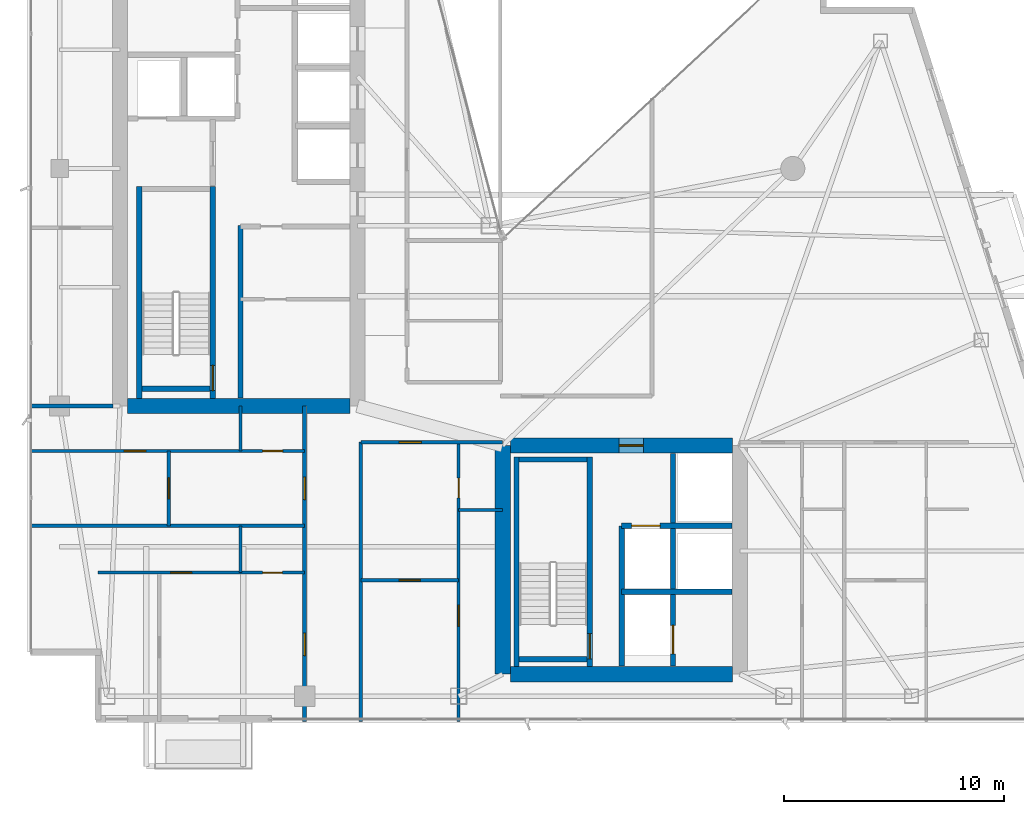
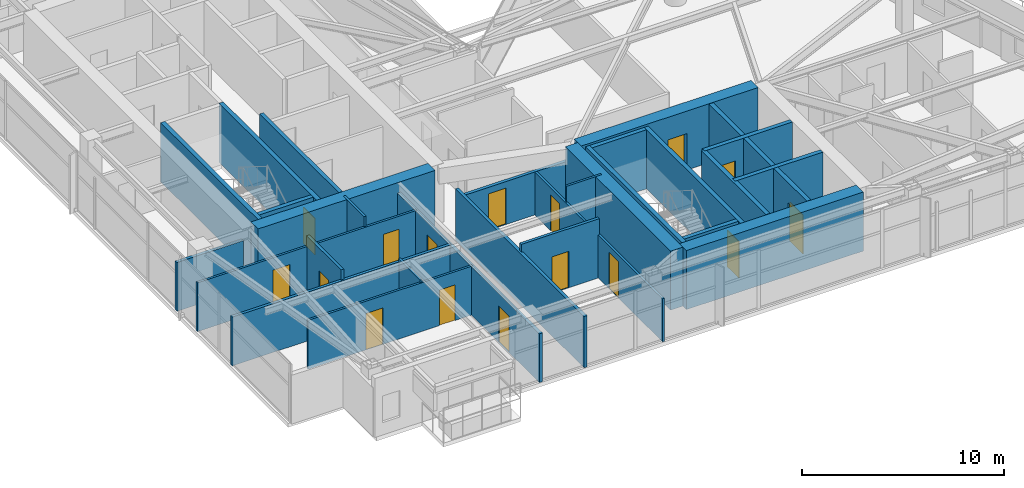
# One storey, part 22 of 27: 29 walls, 16 doors, 16 openings.
"""IFC4 building model written with IfcOpenShell, lengths in metres."""

from ifc_helpers import new_model, si_unit, direction, frame, frame_2d, origin, place, context, subcontext, project, spatial, rectangle, extrude, material, layer, layer_set, type_object, element, fill, save


model = new_model("IFC4")

# Units and contexts
model_context = context("Model", 3, precision=1e-05, world=origin(), true_north=direction((0.0, 1.0)))
body_context = subcontext(model_context, "Body", "Model", "MODEL_VIEW")
ifc_project = project(units=[si_unit("LENGTHUNIT", "METRE"), si_unit("AREAUNIT", "SQUARE_METRE"), si_unit("VOLUMEUNIT", "CUBIC_METRE"), si_unit("PLANEANGLEUNIT", "RADIAN"), si_unit("MASSUNIT", "GRAM", prefix="KILO")], contexts=[model_context])

# Site, building, storey
site_placement = place(None, origin())
site = spatial("IfcSite", under=ifc_project, at=site_placement, CompositionType="ELEMENT")
building_placement = place(site_placement, origin())
building = spatial("IfcBuilding", under=site, at=building_placement, Name="Calvorn Quay Hotel", CompositionType="ELEMENT")
storey_placement = place(building_placement, frame((0.0, 0.0, 226.89990234375)))
storey = spatial("IfcBuildingStorey", under=building, at=storey_placement, Name="L56", CompositionType="ELEMENT", Elevation=226.89990234375)

# Walls
ifc_material_1 = material(Name="Concrete C45", Category="concrete")
ifc_layer_1 = layer(ifc_material_1, 0.699951171875)
ifc_layer_set_1 = layer_set([ifc_layer_1], Name="WL-CORE-700")
wall_type_1 = type_object("IfcWallType", Name="WL-CORE-700", PredefinedType="SHEAR", material=ifc_layer_set_1)
wall_1_placement = place(storey_placement, frame((4.550048828125, 16.800048828125, 0.0), z_axis=(0.0, 0.0, 1.0), x_axis=(1.0, 0.0, 0.0)))
element("IfcWall", 1, at=wall_1_placement, inside=storey, type_object=wall_type_1, Name="West Core Shear Wall S (L56)", PredefinedType="SHEAR", context=body_context, shape_type="SweptSolid", body=[
    extrude(rectangle(XDim=10.099853515625, YDim=0.699951171875, at=frame_2d((5.0498046875, 0.0))), origin(), (0.0, 0.0, 1.0), 3.56005859375),
])
wall_2_placement = place(storey_placement, frame((21.60009765625, 4.60009765625, 0.0), z_axis=(0.0, 0.0, 1.0), x_axis=(0.0, 1.0, 0.0)))
element("IfcWall", 2, at=wall_2_placement, inside=storey, type_object=wall_type_1, Name="East Core Shear Wall W (L56)", PredefinedType="SHEAR", context=body_context, shape_type="SweptSolid", body=[
    extrude(rectangle(XDim=10.39990234375, YDim=0.699951171875, at=frame_2d((5.199951171875, 0.0))), origin(), (0.0, 0.0, 1.0), 3.56005859375),
])

# Wall, opening, door
wall_3_placement = place(storey_placement, frame((21.949951171875, 15.0, 0.0), z_axis=(0.0, 0.0, 1.0), x_axis=(1.0, 0.0, 0.0)))
wall_3 = element("IfcWall", 3, at=wall_3_placement, inside=storey, type_object=wall_type_1, Name="East Core Shear Wall N (L56)", PredefinedType="SHEAR", context=body_context, shape_type="SweptSolid", body=[
    extrude(rectangle(XDim=10.10009765625, YDim=0.699951171875, at=frame_2d((5.050048828125, 0.0))), origin(), (0.0, 0.0, 1.0), 3.56005859375),
])
opening_1_placement = place(wall_3_placement, frame((4.949951171875, 0.0, 0.0)))
opening_1 = element("IfcOpeningElement", 4, at=opening_1_placement, cuts=wall_3, Name="Opening D-L56-FLE", PredefinedType="OPENING", context=body_context, shape_type="SweptSolid", body=[
    extrude(rectangle(XDim=1.10009765625, YDim=2.199951171875, at=frame_2d((0.550048828125, 1.10009765625))), frame((0.0, 0.35986328125, 0.0), z_axis=(0.0, -1.0, 0.0), x_axis=(1.0, 0.0, 0.0)), (0.0, 0.0, 1.0), 0.719970703125),
])
ifc_material_2 = material(Name="Smoke-Sealed Steel Class A Fire Door", Category="steel")
door_type_1 = type_object("IfcDoorType", Name="DR-FFLOBBY-1100", OperationType="NOTDEFINED", PredefinedType="DOOR", material=ifc_material_2)
door_1_placement = place(opening_1_placement, origin())
door_1 = element("IfcDoor", 5, at=door_1_placement, inside=storey, type_object=door_type_1, Name="East Firefighting Lobby Fire Door (L56)", OperationType="SINGLE_SWING_RIGHT", OverallHeight=2.199951171875, OverallWidth=1.10009765625, PredefinedType="DOOR", context=body_context, shape_type="SweptSolid", body=[
    extrude(rectangle(XDim=1.10009765625, YDim=2.199951171875, at=frame_2d((0.550048828125, 1.10009765625))), frame((0.0, 0.02490234375, 0.0), z_axis=(0.0, -1.0, 0.0), x_axis=(1.0, 0.0, 0.0)), (0.0, 0.0, 1.0), 0.050048828125),
])
fill(opening_1, door_1)

# Walls
wall_4_placement = place(storey_placement, frame((21.949951171875, 4.60009765625, 0.0), z_axis=(0.0, 0.0, 1.0), x_axis=(1.0, 0.0, 0.0)))
element("IfcWall", 6, at=wall_4_placement, inside=storey, type_object=wall_type_1, Name="East Core Shear Wall S (L56)", PredefinedType="SHEAR", context=body_context, shape_type="SweptSolid", body=[
    extrude(rectangle(XDim=10.10009765625, YDim=0.699951171875, at=frame_2d((5.050048828125, 0.0))), origin(), (0.0, 0.0, 1.0), 3.56005859375),
])
ifc_material_3 = material(Name="Acoustic Fireboard Steel-Stud Partition", Category="steel")
ifc_layer_2 = layer(ifc_material_3, 0.179931640625)
ifc_layer_set_2 = layer_set([ifc_layer_2], Name="WL-CORR-FIRE-180")
wall_type_2 = type_object("IfcWallType", Name="WL-CORR-FIRE-180", PredefinedType="PARTITIONING", material=ifc_layer_set_2)
wall_5_placement = place(storey_placement, frame((0.080078125, 16.800048828125, 0.0), z_axis=(0.0, 0.0, 1.0), x_axis=(1.0, 0.0, 0.0)))
element("IfcWall", 7, at=wall_5_placement, inside=storey, type_object=wall_type_2, Name="Partition Wall L56-WL-WBAY-S-WALL", PredefinedType="PARTITIONING", context=body_context, shape_type="SweptSolid", body=[
    extrude(rectangle(XDim=3.7998046875, YDim=0.179931640625, at=frame_2d((1.89990234375, 0.0))), origin(), (0.0, 0.0, 1.0), 2.940185546875),
])

# Wall, openings, doors
wall_6_placement = place(storey_placement, frame((12.60009765625, 2.43994140625, 0.0), z_axis=(0.0, 0.0, 1.0), x_axis=(0.0, 1.0, 0.0)))
wall_6 = element("IfcWall", 8, at=wall_6_placement, inside=storey, type_object=wall_type_2, Name="Partition Wall L56-WL-CORR-SW-LEG-W", PredefinedType="PARTITIONING", context=body_context, shape_type="SweptSolid", body=[
    extrude(rectangle(XDim=14.360107421875, YDim=0.179931640625, at=frame_2d((7.18017578125, 0.0))), origin(), (0.0, 0.0, 1.0), 2.940185546875),
])
opening_2_placement = place(wall_6_placement, frame((3.010009765625, 0.0, 0.0)))
opening_2 = element("IfcOpeningElement", 9, at=opening_2_placement, cuts=wall_6, Name="Opening D-L56-U01", PredefinedType="OPENING", context=body_context, shape_type="SweptSolid", body=[
    extrude(rectangle(XDim=1.02001953125, YDim=2.199951171875, at=frame_2d((0.510009765625, 1.10009765625))), frame((0.0, 0.099853515625, 0.0), z_axis=(0.0, -1.0, 0.0), x_axis=(1.0, 0.0, 0.0)), (0.0, 0.0, 1.0), 0.199951171875),
])
opening_3_placement = place(wall_6_placement, frame((10.10009765625, 0.0, 0.0)))
opening_3 = element("IfcOpeningElement", 10, at=opening_3_placement, cuts=wall_6, Name="Opening D-L56-U02", PredefinedType="OPENING", context=body_context, shape_type="SweptSolid", body=[
    extrude(rectangle(XDim=1.02001953125, YDim=2.199951171875, at=frame_2d((0.510009765625, 1.10009765625))), frame((0.0, 0.099853515625, 0.0), z_axis=(0.0, -1.0, 0.0), x_axis=(1.0, 0.0, 0.0)), (0.0, 0.0, 1.0), 0.199951171875),
])
ifc_material_4 = material(Name="Solid-Core Walnut Veneer Hotel Fire Door")
door_type_2 = type_object("IfcDoorType", Name="DR-GUEST-ENTRY-1020", OperationType="NOTDEFINED", PredefinedType="DOOR", material=ifc_material_4)
door_2_placement = place(opening_2_placement, origin())
door_2 = element("IfcDoor", 11, at=door_2_placement, inside=storey, type_object=door_type_2, Name="South-West Unit Door U01 (L56)", OperationType="SINGLE_SWING_LEFT", OverallHeight=2.199951171875, OverallWidth=1.02001953125, PredefinedType="DOOR", context=body_context, shape_type="SweptSolid", body=[
    extrude(rectangle(XDim=1.02001953125, YDim=2.199951171875, at=frame_2d((0.510009765625, 1.10009765625))), frame((0.0, 0.02490234375, 0.0), z_axis=(0.0, -1.0, 0.0), x_axis=(1.0, 0.0, 0.0)), (0.0, 0.0, 1.0), 0.050048828125),
])
fill(opening_2, door_2)
door_3_placement = place(opening_3_placement, origin())
door_3 = element("IfcDoor", 12, at=door_3_placement, inside=storey, type_object=door_type_2, Name="South-West Unit Door U02 (L56)", OperationType="SINGLE_SWING_RIGHT", OverallHeight=2.199951171875, OverallWidth=1.02001953125, PredefinedType="DOOR", context=body_context, shape_type="SweptSolid", body=[
    extrude(rectangle(XDim=1.02001953125, YDim=2.199951171875, at=frame_2d((0.510009765625, 1.10009765625))), frame((0.0, 0.02490234375, 0.0), z_axis=(0.0, -1.0, 0.0), x_axis=(1.0, 0.0, 0.0)), (0.0, 0.0, 1.0), 0.050048828125),
])
fill(opening_3, door_3)

# Wall
wall_7_placement = place(storey_placement, frame((15.14990234375, 2.43994140625, 0.0), z_axis=(0.0, 0.0, 1.0), x_axis=(0.0, 1.0, 0.0)))
element("IfcWall", 13, at=wall_7_placement, inside=storey, type_object=wall_type_2, Name="Partition Wall L56-WL-CORR-SW-W", PredefinedType="PARTITIONING", context=body_context, shape_type="SweptSolid", body=[
    extrude(rectangle(XDim=12.7099609375, YDim=0.179931640625, at=frame_2d((6.35498046875, 0.0))), origin(), (0.0, 0.0, 1.0), 3.090087890625),
])

# Wall, opening, door
wall_8_placement = place(storey_placement, frame((15.14990234375, 15.14990234375, 0.0), z_axis=(0.0, 0.0, 1.0), x_axis=(1.0, 0.0, 0.0)))
wall_8 = element("IfcWall", 14, at=wall_8_placement, inside=storey, type_object=wall_type_2, Name="Partition Wall L56-WL-SC-CORR-S", PredefinedType="PARTITIONING", context=body_context, shape_type="SweptSolid", body=[
    extrude(rectangle(XDim=6.4501953125, YDim=0.179931640625, at=frame_2d((3.22509765625, 0.0))), origin(), (0.0, 0.0, 1.0), 2.590087890625),
])
opening_4_placement = place(wall_8_placement, frame((1.739990234375, 0.0, 0.0)))
opening_4 = element("IfcOpeningElement", 15, at=opening_4_placement, cuts=wall_8, Name="Opening D-L56-U03", PredefinedType="OPENING", context=body_context, shape_type="SweptSolid", body=[
    extrude(rectangle(XDim=1.02001953125, YDim=2.199951171875, at=frame_2d((0.510009765625, 1.10009765625))), frame((0.0, 0.099853515625, 0.0), z_axis=(0.0, -1.0, 0.0), x_axis=(1.0, 0.0, 0.0)), (0.0, 0.0, 1.0), 0.199951171875),
])
door_4_placement = place(opening_4_placement, origin())
door_4 = element("IfcDoor", 16, at=door_4_placement, inside=storey, type_object=door_type_2, Name="Harbour Central Unit Door (L56)", OperationType="SINGLE_SWING_LEFT", OverallHeight=2.199951171875, OverallWidth=1.02001953125, PredefinedType="DOOR", context=body_context, shape_type="SweptSolid", body=[
    extrude(rectangle(XDim=1.02001953125, YDim=2.199951171875, at=frame_2d((0.510009765625, 1.10009765625))), frame((0.0, 0.02490234375, 0.0), z_axis=(0.0, -1.0, 0.0), x_axis=(1.0, 0.0, 0.0)), (0.0, 0.0, 1.0), 0.050048828125),
])
fill(opening_4, door_4)

# Wall
ifc_material_5 = material(Name="Moisture-Resistant Tile-Backed Partition")
ifc_layer_3 = layer(ifc_material_5, 0.125)
ifc_layer_set_3 = layer_set([ifc_layer_3], Name="WL-ENSUITE-125")
wall_type_3 = type_object("IfcWallType", Name="WL-ENSUITE-125", PredefinedType="PARTITIONING", material=ifc_layer_set_3)
wall_9_placement = place(storey_placement, frame((9.679931640625, 9.219970703125, 0.0), z_axis=(0.0, 0.0, 1.0), x_axis=(0.0, 1.0, 0.0)))
element("IfcWall", 17, at=wall_9_placement, inside=storey, type_object=wall_type_3, Name="Partition Wall L56-WL-U01-BDV", PredefinedType="PARTITIONING", context=body_context, shape_type="SweptSolid", body=[
    extrude(rectangle(XDim=2.130126953125, YDim=0.125, at=frame_2d((1.06494140625, 0.0))), origin(), (0.0, 0.0, 1.0), 3.090087890625),
])

# Wall, openings, doors
wall_10_placement = place(storey_placement, frame((3.199951171875, 9.219970703125, 0.0), z_axis=(0.0, 0.0, 1.0), x_axis=(1.0, 0.0, 0.0)))
wall_10 = element("IfcWall", 18, at=wall_10_placement, inside=storey, type_object=wall_type_3, Name="Partition Wall L56-WL-U01-BH", PredefinedType="PARTITIONING", context=body_context, shape_type="SweptSolid", body=[
    extrude(rectangle(XDim=9.400146484375, YDim=0.125, at=frame_2d((4.7001953125, 0.0))), origin(), (0.0, 0.0, 1.0), 2.940185546875),
])
opening_5_placement = place(wall_10_placement, frame((3.300048828125, 0.0, 0.0)))
opening_5 = element("IfcOpeningElement", 19, at=opening_5_placement, cuts=wall_10, Name="Opening D-L56-S01", PredefinedType="OPENING", context=body_context, shape_type="SweptSolid", body=[
    extrude(rectangle(XDim=0.9599609375, YDim=2.199951171875, at=frame_2d((0.47998046875, 1.10009765625))), frame((0.0, 0.072509765625, 0.0), z_axis=(0.0, -1.0, 0.0), x_axis=(1.0, 0.0, 0.0)), (0.0, 0.0, 1.0), 0.14501953125),
])
opening_6_placement = place(wall_10_placement, frame((7.489990234375, 0.0, 0.0)))
opening_6 = element("IfcOpeningElement", 20, at=opening_6_placement, cuts=wall_10, Name="Opening D-L56-E01", PredefinedType="OPENING", context=body_context, shape_type="SweptSolid", body=[
    extrude(rectangle(XDim=0.89990234375, YDim=2.14990234375, at=frame_2d((0.449951171875, 1.074951171875))), frame((0.0, 0.072509765625, 0.0), z_axis=(0.0, -1.0, 0.0), x_axis=(1.0, 0.0, 0.0)), (0.0, 0.0, 1.0), 0.14501953125),
])
ifc_material_6 = material(Name="Moisture-Sealed Timber En-Suite Door", Category="wood")
door_type_3 = type_object("IfcDoorType", Name="DR-ENSUITE-900", OperationType="NOTDEFINED", PredefinedType="DOOR", material=ifc_material_6)
door_5_placement = place(opening_6_placement, origin())
door_5 = element("IfcDoor", 21, at=door_5_placement, inside=storey, type_object=door_type_3, Name="En-Suite Door 01", OperationType="SINGLE_SWING_RIGHT", OverallHeight=2.14990234375, OverallWidth=0.89990234375, PredefinedType="DOOR", context=body_context, shape_type="SweptSolid", body=[
    extrude(rectangle(XDim=0.89990234375, YDim=2.14990234375, at=frame_2d((0.449951171875, 1.074951171875))), frame((0.0, 0.02490234375, 0.0), z_axis=(0.0, -1.0, 0.0), x_axis=(1.0, 0.0, 0.0)), (0.0, 0.0, 1.0), 0.050048828125),
])
fill(opening_6, door_5)
ifc_material_7 = material(Name="Solid Timber Internal Suite Door", Category="wood")
door_type_4 = type_object("IfcDoorType", Name="DR-SUITE-INT-960", OperationType="NOTDEFINED", PredefinedType="DOOR", material=ifc_material_7)
door_6_placement = place(opening_5_placement, origin())
door_6 = element("IfcDoor", 22, at=door_6_placement, inside=storey, type_object=door_type_4, Name="Private Executive Study Door 01", OperationType="SINGLE_SWING_LEFT", OverallHeight=2.199951171875, OverallWidth=0.9599609375, PredefinedType="DOOR", context=body_context, shape_type="SweptSolid", body=[
    extrude(rectangle(XDim=0.9599609375, YDim=2.199951171875, at=frame_2d((0.47998046875, 1.10009765625))), frame((0.0, 0.02490234375, 0.0), z_axis=(0.0, -1.0, 0.0), x_axis=(1.0, 0.0, 0.0)), (0.0, 0.0, 1.0), 0.050048828125),
])
fill(opening_5, door_6)

# Wall
wall_11_placement = place(storey_placement, frame((9.679931640625, 14.75, 0.0), z_axis=(0.0, 0.0, 1.0), x_axis=(0.0, 1.0, 0.0)))
element("IfcWall", 23, at=wall_11_placement, inside=storey, type_object=wall_type_3, Name="Partition Wall L56-WL-U02-BDV", PredefinedType="PARTITIONING", context=body_context, shape_type="SweptSolid", body=[
    extrude(rectangle(XDim=2.050048828125, YDim=0.125, at=frame_2d((1.02490234375, 0.0))), origin(), (0.0, 0.0, 1.0), 3.56005859375),
])

# Wall, openings, doors
wall_12_placement = place(storey_placement, frame((0.080078125, 14.75, 0.0), z_axis=(0.0, 0.0, 1.0), x_axis=(1.0, 0.0, 0.0)))
wall_12 = element("IfcWall", 24, at=wall_12_placement, inside=storey, type_object=wall_type_3, Name="Partition Wall L56-WL-U02-BH", PredefinedType="PARTITIONING", context=body_context, shape_type="SweptSolid", body=[
    extrude(rectangle(XDim=12.52001953125, YDim=0.125, at=frame_2d((6.260009765625, 0.0))), origin(), (0.0, 0.0, 1.0), 2.940185546875),
])
opening_7_placement = place(wall_12_placement, frame((4.320068359375, 0.0, 0.0)))
opening_7 = element("IfcOpeningElement", 25, at=opening_7_placement, cuts=wall_12, Name="Opening D-L56-S02", PredefinedType="OPENING", context=body_context, shape_type="SweptSolid", body=[
    extrude(rectangle(XDim=0.9599609375, YDim=2.199951171875, at=frame_2d((0.47998046875, 1.10009765625))), frame((0.0, 0.072509765625, 0.0), z_axis=(0.0, -1.0, 0.0), x_axis=(1.0, 0.0, 0.0)), (0.0, 0.0, 1.0), 0.14501953125),
])
opening_8_placement = place(wall_12_placement, frame((10.610107421875, 0.0, 0.0)))
opening_8 = element("IfcOpeningElement", 26, at=opening_8_placement, cuts=wall_12, Name="Opening D-L56-E02", PredefinedType="OPENING", context=body_context, shape_type="SweptSolid", body=[
    extrude(rectangle(XDim=0.89990234375, YDim=2.14990234375, at=frame_2d((0.449951171875, 1.074951171875))), frame((0.0, 0.072509765625, 0.0), z_axis=(0.0, -1.0, 0.0), x_axis=(1.0, 0.0, 0.0)), (0.0, 0.0, 1.0), 0.14501953125),
])
door_7_placement = place(opening_8_placement, origin())
door_7 = element("IfcDoor", 27, at=door_7_placement, inside=storey, type_object=door_type_3, Name="En-Suite Door 02", OperationType="SINGLE_SWING_RIGHT", OverallHeight=2.14990234375, OverallWidth=0.89990234375, PredefinedType="DOOR", context=body_context, shape_type="SweptSolid", body=[
    extrude(rectangle(XDim=0.89990234375, YDim=2.14990234375, at=frame_2d((0.449951171875, 1.074951171875))), frame((0.0, 0.02490234375, 0.0), z_axis=(0.0, -1.0, 0.0), x_axis=(1.0, 0.0, 0.0)), (0.0, 0.0, 1.0), 0.050048828125),
])
fill(opening_8, door_7)
door_8_placement = place(opening_7_placement, origin())
door_8 = element("IfcDoor", 28, at=door_8_placement, inside=storey, type_object=door_type_4, Name="Private Executive Study Door 02", OperationType="SINGLE_SWING_LEFT", OverallHeight=2.199951171875, OverallWidth=0.9599609375, PredefinedType="DOOR", context=body_context, shape_type="SweptSolid", body=[
    extrude(rectangle(XDim=0.9599609375, YDim=2.199951171875, at=frame_2d((0.47998046875, 1.10009765625))), frame((0.0, 0.02490234375, 0.0), z_axis=(0.0, -1.0, 0.0), x_axis=(1.0, 0.0, 0.0)), (0.0, 0.0, 1.0), 0.050048828125),
])
fill(opening_7, door_8)

# Wall
wall_13_placement = place(storey_placement, frame((19.60009765625, 12.070068359375, 0.0), z_axis=(0.0, 0.0, 1.0), x_axis=(1.0, 0.0, 0.0)))
element("IfcWall", 29, at=wall_13_placement, inside=storey, type_object=wall_type_3, Name="Partition Wall L56-WL-U03-BDV", PredefinedType="PARTITIONING", context=body_context, shape_type="SweptSolid", body=[
    extrude(rectangle(XDim=2.0, YDim=0.125, at=frame_2d((1.0, 0.0))), origin(), (0.0, 0.0, 1.0), 3.56005859375),
])

# Wall, openings, doors
wall_14_placement = place(storey_placement, frame((19.60009765625, 2.43994140625, 0.0), z_axis=(0.0, 0.0, 1.0), x_axis=(0.0, 1.0, 0.0)))
wall_14 = element("IfcWall", 30, at=wall_14_placement, inside=storey, type_object=wall_type_3, Name="Partition Wall L56-WL-U03-BV", PredefinedType="PARTITIONING", context=body_context, shape_type="SweptSolid", body=[
    extrude(rectangle(XDim=12.7099609375, YDim=0.125, at=frame_2d((6.35498046875, 0.0))), origin(), (0.0, 0.0, 1.0), 2.590087890625),
])
opening_9_placement = place(wall_14_placement, frame((4.340087890625, 0.0, 0.0)))
opening_9 = element("IfcOpeningElement", 31, at=opening_9_placement, cuts=wall_14, Name="Opening D-L56-S03", PredefinedType="OPENING", context=body_context, shape_type="SweptSolid", body=[
    extrude(rectangle(XDim=0.9599609375, YDim=2.199951171875, at=frame_2d((0.47998046875, 1.10009765625))), frame((0.0, 0.072509765625, 0.0), z_axis=(0.0, -1.0, 0.0), x_axis=(1.0, 0.0, 0.0)), (0.0, 0.0, 1.0), 0.14501953125),
])
opening_10_placement = place(wall_14_placement, frame((10.179931640625, 0.0, 0.0)))
opening_10 = element("IfcOpeningElement", 32, at=opening_10_placement, cuts=wall_14, Name="Opening D-L56-E03", PredefinedType="OPENING", context=body_context, shape_type="SweptSolid", body=[
    extrude(rectangle(XDim=0.89990234375, YDim=2.14990234375, at=frame_2d((0.449951171875, 1.074951171875))), frame((0.0, 0.072509765625, 0.0), z_axis=(0.0, -1.0, 0.0), x_axis=(1.0, 0.0, 0.0)), (0.0, 0.0, 1.0), 0.14501953125),
])
door_9_placement = place(opening_10_placement, origin())
door_9 = element("IfcDoor", 33, at=door_9_placement, inside=storey, type_object=door_type_3, Name="En-Suite Door 03", OperationType="SINGLE_SWING_RIGHT", OverallHeight=2.14990234375, OverallWidth=0.89990234375, PredefinedType="DOOR", context=body_context, shape_type="SweptSolid", body=[
    extrude(rectangle(XDim=0.89990234375, YDim=2.14990234375, at=frame_2d((0.449951171875, 1.074951171875))), frame((0.0, 0.02490234375, 0.0), z_axis=(0.0, -1.0, 0.0), x_axis=(1.0, 0.0, 0.0)), (0.0, 0.0, 1.0), 0.050048828125),
])
fill(opening_10, door_9)
door_10_placement = place(opening_9_placement, origin())
door_10 = element("IfcDoor", 34, at=door_10_placement, inside=storey, type_object=door_type_4, Name="Private Executive Study Door 03", OperationType="SINGLE_SWING_LEFT", OverallHeight=2.199951171875, OverallWidth=0.9599609375, PredefinedType="DOOR", context=body_context, shape_type="SweptSolid", body=[
    extrude(rectangle(XDim=0.9599609375, YDim=2.199951171875, at=frame_2d((0.47998046875, 1.10009765625))), frame((0.0, 0.02490234375, 0.0), z_axis=(0.0, -1.0, 0.0), x_axis=(1.0, 0.0, 0.0)), (0.0, 0.0, 1.0), 0.050048828125),
])
fill(opening_9, door_10)

# Wall, opening, door
ifc_material_8 = material(Name="Double-Stud Acoustic Gypsum Partition")
ifc_layer_4 = layer(ifc_material_8, 0.159912109375)
ifc_layer_set_4 = layer_set([ifc_layer_4], Name="WL-INTERSUITE-160")
wall_type_4 = type_object("IfcWallType", Name="WL-INTERSUITE-160", PredefinedType="PARTITIONING", material=ifc_layer_set_4)
wall_15_placement = place(storey_placement, frame((6.419921875, 11.35009765625, 0.0), z_axis=(0.0, 0.0, 1.0), x_axis=(0.0, 1.0, 0.0)))
wall_15 = element("IfcWall", 35, at=wall_15_placement, inside=storey, type_object=wall_type_4, Name="Partition Wall L56-WL-U02-MSP", PredefinedType="PARTITIONING", context=body_context, shape_type="SweptSolid", body=[
    extrude(rectangle(XDim=3.39990234375, YDim=0.159912109375, at=frame_2d((1.699951171875, 0.0))), origin(), (0.0, 0.0, 1.0), 3.56005859375),
])
opening_11_placement = place(wall_15_placement, frame((1.219970703125, 0.0, 0.0)))
opening_11 = element("IfcOpeningElement", 36, at=opening_11_placement, cuts=wall_15, Name="Opening D-L56-M02", PredefinedType="OPENING", context=body_context, shape_type="SweptSolid", body=[
    extrude(rectangle(XDim=0.9599609375, YDim=2.199951171875, at=frame_2d((0.47998046875, 1.10009765625))), frame((0.0, 0.08984375, 0.0), z_axis=(0.0, -1.0, 0.0), x_axis=(1.0, 0.0, 0.0)), (0.0, 0.0, 1.0), 0.179931640625),
])
door_11_placement = place(opening_11_placement, origin())
door_11 = element("IfcDoor", 37, at=door_11_placement, inside=storey, type_object=door_type_4, Name="Suite Bedroom Door 02", OperationType="SINGLE_SWING_LEFT", OverallHeight=2.199951171875, OverallWidth=0.9599609375, PredefinedType="DOOR", context=body_context, shape_type="SweptSolid", body=[
    extrude(rectangle(XDim=0.9599609375, YDim=2.199951171875, at=frame_2d((0.47998046875, 1.10009765625))), frame((0.0, 0.02490234375, 0.0), z_axis=(0.0, -1.0, 0.0), x_axis=(1.0, 0.0, 0.0)), (0.0, 0.0, 1.0), 0.050048828125),
])
fill(opening_11, door_11)

# Wall
wall_16_placement = place(storey_placement, frame((0.080078125, 11.35009765625, 0.0), z_axis=(0.0, 0.0, 1.0), x_axis=(1.0, 0.0, 0.0)))
element("IfcWall", 38, at=wall_16_placement, inside=storey, type_object=wall_type_4, Name="Partition Wall L56-WL-SW-DIV-1", PredefinedType="PARTITIONING", context=body_context, shape_type="SweptSolid", body=[
    extrude(rectangle(XDim=12.52001953125, YDim=0.159912109375, at=frame_2d((6.260009765625, 0.0))), origin(), (0.0, 0.0, 1.0), 2.940185546875),
])

# Wall, opening, door
wall_17_placement = place(storey_placement, frame((15.14990234375, 8.8701171875, 0.0), z_axis=(0.0, 0.0, 1.0), x_axis=(1.0, 0.0, 0.0)))
wall_17 = element("IfcWall", 39, at=wall_17_placement, inside=storey, type_object=wall_type_4, Name="Partition Wall L56-WL-U03-MSP", PredefinedType="PARTITIONING", context=body_context, shape_type="SweptSolid", body=[
    extrude(rectangle(XDim=4.4501953125, YDim=0.159912109375, at=frame_2d((2.22509765625, 0.0))), origin(), (0.0, 0.0, 1.0), 3.56005859375),
])
opening_12_placement = place(wall_17_placement, frame((1.75, 0.0, 0.0)))
opening_12 = element("IfcOpeningElement", 40, at=opening_12_placement, cuts=wall_17, Name="Opening D-L56-M03", PredefinedType="OPENING", context=body_context, shape_type="SweptSolid", body=[
    extrude(rectangle(XDim=0.9599609375, YDim=2.199951171875, at=frame_2d((0.47998046875, 1.10009765625))), frame((0.0, 0.08984375, 0.0), z_axis=(0.0, -1.0, 0.0), x_axis=(1.0, 0.0, 0.0)), (0.0, 0.0, 1.0), 0.179931640625),
])
door_12_placement = place(opening_12_placement, origin())
door_12 = element("IfcDoor", 41, at=door_12_placement, inside=storey, type_object=door_type_4, Name="Suite Bedroom Door 03", OperationType="SINGLE_SWING_LEFT", OverallHeight=2.199951171875, OverallWidth=0.9599609375, PredefinedType="DOOR", context=body_context, shape_type="SweptSolid", body=[
    extrude(rectangle(XDim=0.9599609375, YDim=2.199951171875, at=frame_2d((0.47998046875, 1.10009765625))), frame((0.0, 0.02490234375, 0.0), z_axis=(0.0, -1.0, 0.0), x_axis=(1.0, 0.0, 0.0)), (0.0, 0.0, 1.0), 0.050048828125),
])
fill(opening_12, door_12)

# Walls
ifc_material_9 = material(Name="Autoclaved Aerated Masonry Block", Category="masonry")
ifc_layer_5 = layer(ifc_material_9, 0.219970703125)
ifc_layer_set_5 = layer_set([ifc_layer_5], Name="WL-LOBBY-FIRE-220")
wall_type_5 = type_object("IfcWallType", Name="WL-LOBBY-FIRE-220", PredefinedType="SOLIDWALL", material=ifc_layer_set_5)
wall_18_placement = place(storey_placement, frame((9.679931640625, 17.169921875, 0.0), z_axis=(0.0, 0.0, 1.0), x_axis=(0.0, 1.0, 0.0)))
element("IfcWall", 42, at=wall_18_placement, inside=storey, type_object=wall_type_5, Name="Partition Wall L56-WL-CWW-STW-HALL-E", PredefinedType="SOLIDWALL", context=body_context, shape_type="SweptSolid", body=[
    extrude(rectangle(XDim=7.830078125, YDim=0.219970703125, at=frame_2d((3.9150390625, 0.0))), origin(), (0.0, 0.0, 1.0), 3.56005859375),
])
ifc_material_10 = material(Name="Concrete C40", Category="concrete")
ifc_layer_6 = layer(ifc_material_10, 0.239990234375)
ifc_layer_set_6 = layer_set([ifc_layer_6], Name="WL-SHAFT-240")
wall_type_6 = type_object("IfcWallType", Name="WL-SHAFT-240", PredefinedType="SOLIDWALL", material=ifc_layer_set_6)
wall_19_placement = place(storey_placement, frame((5.080078125, 17.14990234375, 0.0), z_axis=(0.0, 0.0, 1.0), x_axis=(0.0, 1.0, 0.0)))
element("IfcWall", 43, at=wall_19_placement, inside=storey, type_object=wall_type_6, Name="Stair STW Shaft Wall W (L56)", PredefinedType="SOLIDWALL", context=body_context, shape_type="SweptSolid", body=[
    extrude(rectangle(XDim=9.64013671875, YDim=0.239990234375, at=frame_2d((4.820068359375, 0.0))), origin(), (0.0, 0.0, 1.0), 3.56005859375),
])

# Wall, opening, door
wall_20_placement = place(storey_placement, frame((8.419921875, 17.14990234375, 0.0), z_axis=(0.0, 0.0, 1.0), x_axis=(0.0, 1.0, 0.0)))
wall_20 = element("IfcWall", 44, at=wall_20_placement, inside=storey, type_object=wall_type_6, Name="Stair STW Shaft Wall E (L56)", PredefinedType="SOLIDWALL", context=body_context, shape_type="SweptSolid", body=[
    extrude(rectangle(XDim=9.64013671875, YDim=0.239990234375, at=frame_2d((4.820068359375, 0.0))), origin(), (0.0, 0.0, 1.0), 3.56005859375),
])
opening_13_placement = place(wall_20_placement, frame((0.35009765625, 0.0, 0.0)))
opening_13 = element("IfcOpeningElement", 45, at=opening_13_placement, cuts=wall_20, Name="Opening D-L56-STW", PredefinedType="OPENING", context=body_context, shape_type="SweptSolid", body=[
    extrude(rectangle(XDim=1.14990234375, YDim=2.199951171875, at=frame_2d((0.574951171875, 1.10009765625))), frame((0.0, 0.1298828125, 0.0), z_axis=(0.0, -1.0, 0.0), x_axis=(1.0, 0.0, 0.0)), (0.0, 0.0, 1.0), 0.260009765625),
])
ifc_material_11 = material(Name="Galvanised Steel Class A Fire Door", Category="steel")
door_type_5 = type_object("IfcDoorType", Name="DR-STAIR-SMOKE-1150", OperationType="NOTDEFINED", PredefinedType="DOOR", material=ifc_material_11)
door_13_placement = place(opening_13_placement, origin())
door_13 = element("IfcDoor", 46, at=door_13_placement, inside=storey, type_object=door_type_5, Name="Stair ST-W Fire Door (L56)", OperationType="SINGLE_SWING_LEFT", OverallHeight=2.199951171875, OverallWidth=1.14990234375, PredefinedType="DOOR", context=body_context, shape_type="SweptSolid", body=[
    extrude(rectangle(XDim=1.14990234375, YDim=2.199951171875, at=frame_2d((0.574951171875, 1.10009765625))), frame((0.0, 0.02490234375, 0.0), z_axis=(0.0, -1.0, 0.0), x_axis=(1.0, 0.0, 0.0)), (0.0, 0.0, 1.0), 0.050048828125),
])
fill(opening_13, door_13)

# Walls
wall_21_placement = place(storey_placement, frame((5.199951171875, 17.580078125, 0.0), z_axis=(0.0, 0.0, 1.0), x_axis=(1.0, 0.0, 0.0)))
element("IfcWall", 47, at=wall_21_placement, inside=storey, type_object=wall_type_6, Name="Stair STW Shaft Wall S (L56)", PredefinedType="SOLIDWALL", context=body_context, shape_type="SweptSolid", body=[
    extrude(rectangle(XDim=3.10009765625, YDim=0.239990234375, at=frame_2d((1.550048828125, 0.0))), origin(), (0.0, 0.0, 1.0), 3.56005859375),
])
wall_22_placement = place(storey_placement, frame((22.22998046875, 4.949951171875, 0.0), z_axis=(0.0, 0.0, 1.0), x_axis=(0.0, 1.0, 0.0)))
element("IfcWall", 48, at=wall_22_placement, inside=storey, type_object=wall_type_6, Name="Stair STE Shaft Wall W (L56)", PredefinedType="SOLIDWALL", context=body_context, shape_type="SweptSolid", body=[
    extrude(rectangle(XDim=9.5400390625, YDim=0.239990234375, at=frame_2d((4.77001953125, 0.0))), origin(), (0.0, 0.0, 1.0), 3.56005859375),
])

# Wall, opening, door
wall_23_placement = place(storey_placement, frame((25.570068359375, 4.949951171875, 0.0), z_axis=(0.0, 0.0, 1.0), x_axis=(0.0, 1.0, 0.0)))
wall_23 = element("IfcWall", 49, at=wall_23_placement, inside=storey, type_object=wall_type_6, Name="Stair STE Shaft Wall E (L56)", PredefinedType="SOLIDWALL", context=body_context, shape_type="SweptSolid", body=[
    extrude(rectangle(XDim=9.5400390625, YDim=0.239990234375, at=frame_2d((4.77001953125, 0.0))), origin(), (0.0, 0.0, 1.0), 3.56005859375),
])
opening_14_placement = place(wall_23_placement, frame((0.35009765625, 0.0, 0.0)))
opening_14 = element("IfcOpeningElement", 50, at=opening_14_placement, cuts=wall_23, Name="Opening D-L56-STE", PredefinedType="OPENING", context=body_context, shape_type="SweptSolid", body=[
    extrude(rectangle(XDim=1.14990234375, YDim=2.199951171875, at=frame_2d((0.574951171875, 1.10009765625))), frame((0.0, 0.1298828125, 0.0), z_axis=(0.0, -1.0, 0.0), x_axis=(1.0, 0.0, 0.0)), (0.0, 0.0, 1.0), 0.260009765625),
])
door_14_placement = place(opening_14_placement, origin())
door_14 = element("IfcDoor", 51, at=door_14_placement, inside=storey, type_object=door_type_5, Name="Stair ST-E Fire Door (L56)", OperationType="SINGLE_SWING_RIGHT", OverallHeight=2.199951171875, OverallWidth=1.14990234375, PredefinedType="DOOR", context=body_context, shape_type="SweptSolid", body=[
    extrude(rectangle(XDim=1.14990234375, YDim=2.199951171875, at=frame_2d((0.574951171875, 1.10009765625))), frame((0.0, 0.02490234375, 0.0), z_axis=(0.0, -1.0, 0.0), x_axis=(1.0, 0.0, 0.0)), (0.0, 0.0, 1.0), 0.050048828125),
])
fill(opening_14, door_14)

# Walls
for number, where, z_axis, x_axis, name in (
    (52, (22.35009765625, 5.280029296875, 0.0), (0.0, 0.0, 1.0), (1.0, 0.0, 0.0), "Stair STE Shaft Wall S (L56)"),
    (53, (22.35009765625, 14.3701171875, 0.0), (0.0, 0.0, 1.0), (1.0, 0.0, 0.0), "Stair STE Shaft Wall N (L56)"),
):
    element("IfcWall", number, at=place(storey_placement, frame(where, z_axis=z_axis, x_axis=x_axis)), inside=storey, type_object=wall_type_6, Name=name, PredefinedType="SOLIDWALL", context=body_context, shape_type="SweptSolid", body=[
        extrude(rectangle(XDim=3.099853515625, YDim=0.239990234375, at=frame_2d((1.5498046875, 0.0))), origin(), (0.0, 0.0, 1.0), 3.56005859375),
    ])
wall_24_placement = place(storey_placement, frame((27.02001953125, 4.969970703125, 0.0), z_axis=(0.0, 0.0, 1.0), x_axis=(0.0, 1.0, 0.0)))
element("IfcWall", 54, at=wall_24_placement, inside=storey, type_object=wall_type_6, Name="Partition Wall L56-WL-CWE-SH-W", PredefinedType="SOLIDWALL", context=body_context, shape_type="SweptSolid", body=[
    extrude(rectangle(XDim=6.380126953125, YDim=0.239990234375, at=frame_2d((3.18994140625, 0.0))), origin(), (0.0, 0.0, 1.0), 3.56005859375),
])

# Wall, opening, door
wall_25_placement = place(storey_placement, frame((27.02001953125, 11.35009765625, 0.0), z_axis=(0.0, 0.0, 1.0), x_axis=(1.0, 0.0, 0.0)))
wall_25 = element("IfcWall", 55, at=wall_25_placement, inside=storey, type_object=wall_type_6, Name="Partition Wall L56-WL-CWE-FFL-S", PredefinedType="SOLIDWALL", context=body_context, shape_type="SweptSolid", body=[
    extrude(rectangle(XDim=5.010009765625, YDim=0.239990234375, at=frame_2d((2.5048828125, 0.0))), origin(), (0.0, 0.0, 1.0), 3.56005859375),
])
opening_15_placement = place(wall_25_placement, frame((0.449951171875, 0.0, 0.0)))
opening_15 = element("IfcOpeningElement", 56, at=opening_15_placement, cuts=wall_25, Name="Opening LD-L56-FLE1", PredefinedType="OPENING", context=body_context, shape_type="SweptSolid", body=[
    extrude(rectangle(XDim=1.300048828125, YDim=2.35009765625, at=frame_2d((0.64990234375, 1.175048828125))), frame((0.0, 0.1298828125, 0.0), z_axis=(0.0, -1.0, 0.0), x_axis=(1.0, 0.0, 0.0)), (0.0, 0.0, 1.0), 0.260009765625),
])
ifc_material_12 = material(Name="Champagne-Bronze Sliding Express Lift Landing Door")
door_type_6 = type_object("IfcDoorType", Name="DR-LIFT-SHUTTLE-1300", OperationType="NOTDEFINED", PredefinedType="DOOR", material=ifc_material_12)
door_15_placement = place(opening_15_placement, origin())
door_15 = element("IfcDoor", 57, at=door_15_placement, inside=storey, type_object=door_type_6, Name="Firefighting Lift FL-E1 Landing Door (L56)", OperationType="DOUBLE_DOOR_SLIDING", OverallHeight=2.35009765625, OverallWidth=1.300048828125, PredefinedType="DOOR", context=body_context, shape_type="SweptSolid", body=[
    extrude(rectangle(XDim=1.300048828125, YDim=2.35009765625, at=frame_2d((0.64990234375, 1.175048828125))), frame((0.0, 0.02490234375, 0.0), z_axis=(0.0, -1.0, 0.0), x_axis=(1.0, 0.0, 0.0)), (0.0, 0.0, 1.0), 0.050048828125),
])
fill(opening_15, door_15)

# Wall
wall_26_placement = place(storey_placement, frame((27.02001953125, 8.35009765625, 0.0), z_axis=(0.0, 0.0, 1.0), x_axis=(1.0, 0.0, 0.0)))
element("IfcWall", 58, at=wall_26_placement, inside=storey, type_object=wall_type_6, Name="Partition Wall L56-WL-CWE-SL-N", PredefinedType="SOLIDWALL", context=body_context, shape_type="SweptSolid", body=[
    extrude(rectangle(XDim=5.010009765625, YDim=0.239990234375, at=frame_2d((2.5048828125, 0.0))), origin(), (0.0, 0.0, 1.0), 3.56005859375),
])

# Wall, opening, door
wall_27_placement = place(storey_placement, frame((29.35009765625, 4.969970703125, 0.0), z_axis=(0.0, 0.0, 1.0), x_axis=(0.0, 1.0, 0.0)))
wall_27 = element("IfcWall", 59, at=wall_27_placement, inside=storey, type_object=wall_type_6, Name="Partition Wall L56-WL-CWE-OB-W", PredefinedType="SOLIDWALL", context=body_context, shape_type="SweptSolid", body=[
    extrude(rectangle(XDim=9.659912109375, YDim=0.239990234375, at=frame_2d((4.830078125, 0.0))), origin(), (0.0, 0.0, 1.0), 3.56005859375),
])
opening_16_placement = place(wall_27_placement, frame((0.550048828125, 0.0, 0.0)))
opening_16 = element("IfcOpeningElement", 60, at=opening_16_placement, cuts=wall_27, Name="Opening LD-L56-SLEI", PredefinedType="OPENING", context=body_context, shape_type="SweptSolid", body=[
    extrude(rectangle(XDim=1.300048828125, YDim=2.35009765625, at=frame_2d((0.64990234375, 1.175048828125))), frame((0.0, 0.1298828125, 0.0), z_axis=(0.0, -1.0, 0.0), x_axis=(1.0, 0.0, 0.0)), (0.0, 0.0, 1.0), 0.260009765625),
])
door_16_placement = place(opening_16_placement, origin())
door_16 = element("IfcDoor", 61, at=door_16_placement, inside=storey, type_object=door_type_6, Name="Service Lift SL-E1 Landing Door (L56)", OperationType="DOUBLE_DOOR_SLIDING", OverallHeight=2.35009765625, OverallWidth=1.300048828125, PredefinedType="DOOR", context=body_context, shape_type="SweptSolid", body=[
    extrude(rectangle(XDim=1.300048828125, YDim=2.35009765625, at=frame_2d((0.64990234375, 1.175048828125))), frame((0.0, 0.02490234375, 0.0), z_axis=(0.0, -1.0, 0.0), x_axis=(1.0, 0.0, 0.0)), (0.0, 0.0, 1.0), 0.050048828125),
])
fill(opening_16, door_16)

save(model, "model.ifc")
